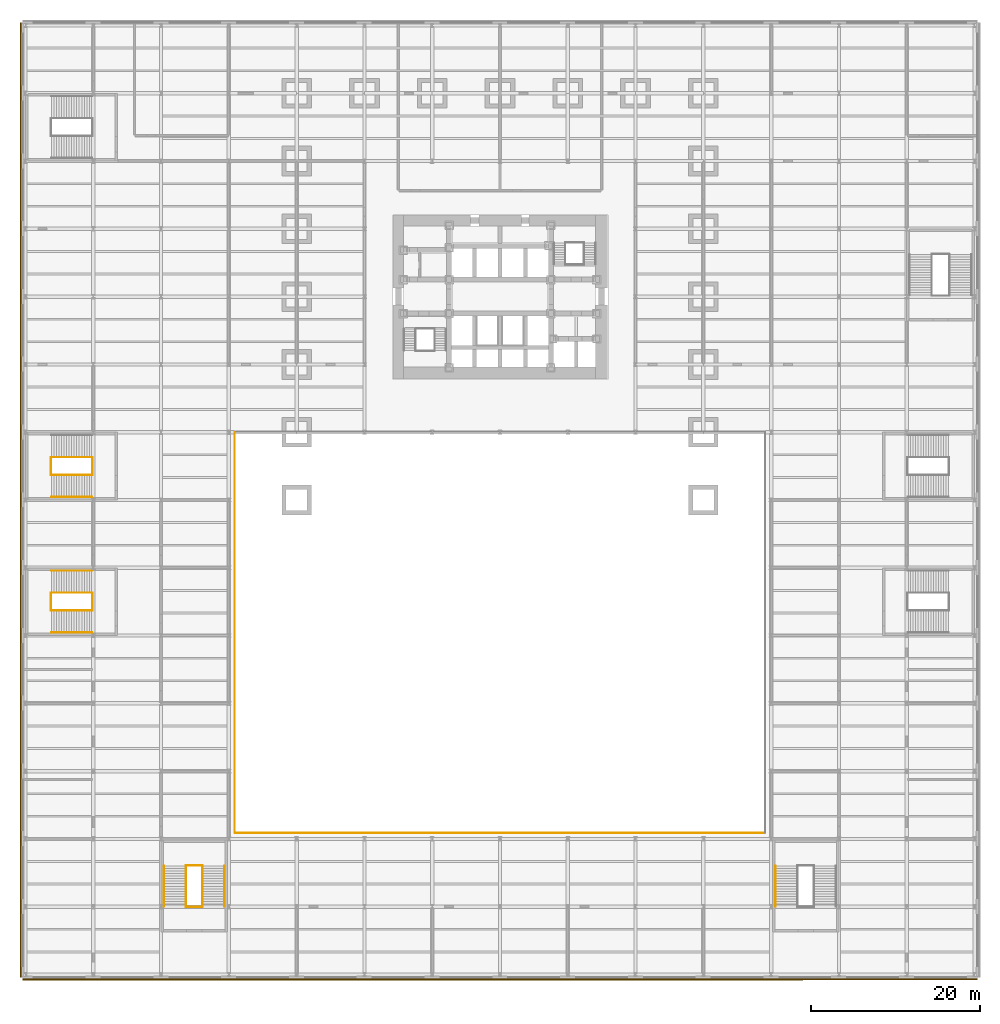
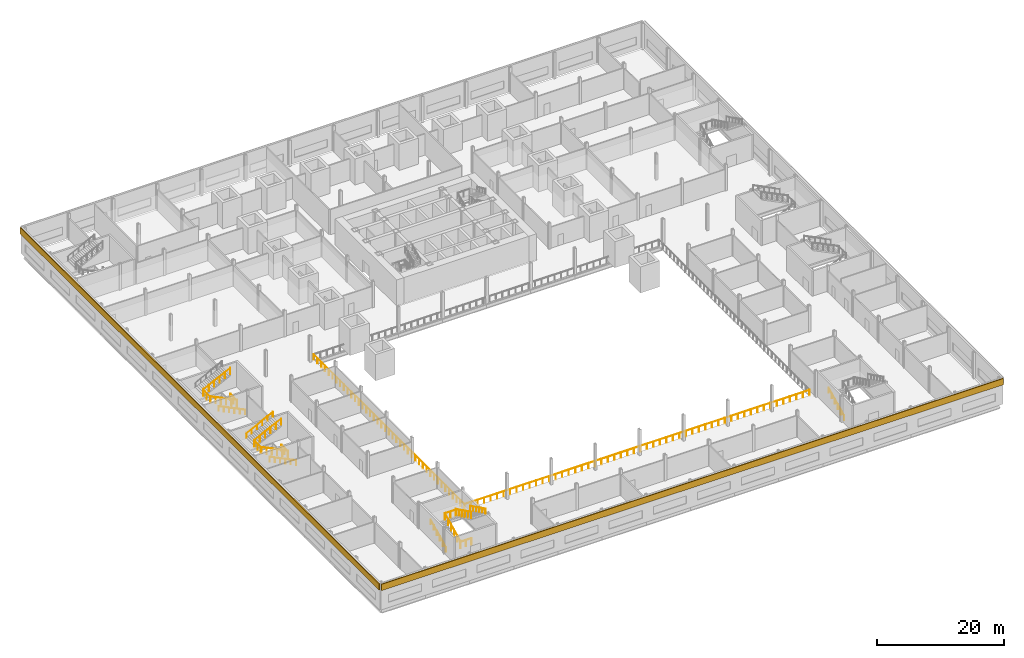
# One storey, part 15 of 18: 20 railings, 2 coverings.
"""IFC4 building model written with IfcOpenShell, lengths in metres."""

from ifc_helpers import new_model, si_unit, direction, frame, origin, origin_2d, place, context, subcontext, project, spatial, rectangle, circle, extrude, material, layer, layer_set, type_object, element, save


model = new_model("IFC4")

# Units and contexts
model_context = context("Model", 3, precision=1e-05, world=origin(), true_north=direction((0.0, 1.0)))
body_context = subcontext(model_context, "Body", "Model", "MODEL_VIEW")
ifc_project = project(units=[si_unit("LENGTHUNIT", "METRE"), si_unit("AREAUNIT", "SQUARE_METRE"), si_unit("VOLUMEUNIT", "CUBIC_METRE"), si_unit("PLANEANGLEUNIT", "RADIAN"), si_unit("MASSUNIT", "GRAM", prefix="KILO")], contexts=[model_context])

# Site, building, storey
site_placement = place(None, origin())
site = spatial("IfcSite", under=ifc_project, at=site_placement, CompositionType="ELEMENT")
building_placement = place(site_placement, origin())
building = spatial("IfcBuilding", under=site, at=building_placement, Name="Daluyong Arena Tower", CompositionType="ELEMENT")
storey_placement = place(building_placement, frame((0.0, 0.0, 4.89990234375)))
storey = spatial("IfcBuildingStorey", under=building, at=storey_placement, Name="L01", CompositionType="ELEMENT", Elevation=4.89990234375)

# Railings
ifc_material_1 = material(Name="Steel guard with glass infill", Category="steel")
railing_type_1 = type_object("IfcRailingType", Name="Floor edge guard 1100", PredefinedType="GUARDRAIL", material=ifc_material_1)
railing_1_placement = place(storey_placement, frame((24.699951171875, 64.0, 0.0)))
element("IfcRailing", 1, at=railing_1_placement, inside=storey, type_object=railing_type_1, Name="floor edge guard L01", PredefinedType="GUARDRAIL", context=body_context, shape_type="SweptSolid", body=[
    extrude(circle(Radius=0.02392578125, at=origin_2d()), frame((0.0, 0.0, 1.076171875), z_axis=(0.0, -1.0, 0.0), x_axis=(1.0, 0.0, 0.0)), (0.0, 0.0, 1.0), 47.25),
    extrude(circle(Radius=0.02099609375, at=origin_2d()), origin(), (0.0, 0.0, 1.0), 1.052001953125),
    extrude(circle(Radius=0.02099609375, at=origin_2d()), frame((0.0, -1.18115234375, 0.0)), (0.0, 0.0, 1.0), 1.052001953125),
    extrude(circle(Radius=0.02099609375, at=origin_2d()), frame((0.0, -2.362548828125, 0.0)), (0.0, 0.0, 1.0), 1.052001953125),
    extrude(circle(Radius=0.02099609375, at=origin_2d()), frame((0.0, -3.543701171875, 0.0)), (0.0, 0.0, 1.0), 1.052001953125),
    extrude(circle(Radius=0.02099609375, at=origin_2d()), frame((0.0, -4.72509765625, 0.0)), (0.0, 0.0, 1.0), 1.052001953125),
    extrude(circle(Radius=0.02099609375, at=origin_2d()), frame((0.0, -5.90625, 0.0)), (0.0, 0.0, 1.0), 1.052001953125),
    extrude(circle(Radius=0.02099609375, at=origin_2d()), frame((0.0, -7.08740234375, 0.0)), (0.0, 0.0, 1.0), 1.052001953125),
    extrude(circle(Radius=0.02099609375, at=origin_2d()), frame((0.0, -8.268798828125, 0.0)), (0.0, 0.0, 1.0), 1.052001953125),
    extrude(circle(Radius=0.02099609375, at=origin_2d()), frame((0.0, -9.449951171875, 0.0)), (0.0, 0.0, 1.0), 1.052001953125),
    extrude(circle(Radius=0.02099609375, at=origin_2d()), frame((0.0, -10.63134765625, 0.0)), (0.0, 0.0, 1.0), 1.052001953125),
    extrude(circle(Radius=0.02099609375, at=origin_2d()), frame((0.0, -11.8125, 0.0)), (0.0, 0.0, 1.0), 1.052001953125),
    extrude(circle(Radius=0.02099609375, at=origin_2d()), frame((0.0, -12.99365234375, 0.0)), (0.0, 0.0, 1.0), 1.052001953125),
    extrude(circle(Radius=0.02099609375, at=origin_2d()), frame((0.0, -14.175048828125, 0.0)), (0.0, 0.0, 1.0), 1.052001953125),
    extrude(circle(Radius=0.02099609375, at=origin_2d()), frame((0.0, -15.356201171875, 0.0)), (0.0, 0.0, 1.0), 1.052001953125),
    extrude(circle(Radius=0.02099609375, at=origin_2d()), frame((0.0, -16.53759765625, 0.0)), (0.0, 0.0, 1.0), 1.052001953125),
    extrude(circle(Radius=0.02099609375, at=origin_2d()), frame((0.0, -17.71875, 0.0)), (0.0, 0.0, 1.0), 1.052001953125),
    extrude(circle(Radius=0.02099609375, at=origin_2d()), frame((0.0, -18.89990234375, 0.0)), (0.0, 0.0, 1.0), 1.052001953125),
    extrude(circle(Radius=0.02099609375, at=origin_2d()), frame((0.0, -20.081298828125, 0.0)), (0.0, 0.0, 1.0), 1.052001953125),
    extrude(circle(Radius=0.02099609375, at=origin_2d()), frame((0.0, -21.262451171875, 0.0)), (0.0, 0.0, 1.0), 1.052001953125),
    extrude(circle(Radius=0.02099609375, at=origin_2d()), frame((0.0, -22.44384765625, 0.0)), (0.0, 0.0, 1.0), 1.052001953125),
    extrude(circle(Radius=0.02099609375, at=origin_2d()), frame((0.0, -23.625, 0.0)), (0.0, 0.0, 1.0), 1.052001953125),
    extrude(circle(Radius=0.02099609375, at=origin_2d()), frame((0.0, -24.80615234375, 0.0)), (0.0, 0.0, 1.0), 1.052001953125),
    extrude(circle(Radius=0.02099609375, at=origin_2d()), frame((0.0, -25.987548828125, 0.0)), (0.0, 0.0, 1.0), 1.052001953125),
    extrude(circle(Radius=0.02099609375, at=origin_2d()), frame((0.0, -27.168701171875, 0.0)), (0.0, 0.0, 1.0), 1.052001953125),
    extrude(circle(Radius=0.02099609375, at=origin_2d()), frame((0.0, -28.35009765625, 0.0)), (0.0, 0.0, 1.0), 1.052001953125),
    extrude(circle(Radius=0.02099609375, at=origin_2d()), frame((0.0, -29.53125, 0.0)), (0.0, 0.0, 1.0), 1.052001953125),
    extrude(circle(Radius=0.02099609375, at=origin_2d()), frame((0.0, -30.71240234375, 0.0)), (0.0, 0.0, 1.0), 1.052001953125),
    extrude(circle(Radius=0.02099609375, at=origin_2d()), frame((0.0, -31.893798828125, 0.0)), (0.0, 0.0, 1.0), 1.052001953125),
    extrude(circle(Radius=0.02099609375, at=origin_2d()), frame((0.0, -33.074951171875, 0.0)), (0.0, 0.0, 1.0), 1.052001953125),
    extrude(circle(Radius=0.02099609375, at=origin_2d()), frame((0.0, -34.25634765625, 0.0)), (0.0, 0.0, 1.0), 1.052001953125),
    extrude(circle(Radius=0.02099609375, at=origin_2d()), frame((0.0, -35.4375, 0.0)), (0.0, 0.0, 1.0), 1.052001953125),
    extrude(circle(Radius=0.02099609375, at=origin_2d()), frame((0.0, -36.61865234375, 0.0)), (0.0, 0.0, 1.0), 1.052001953125),
    extrude(circle(Radius=0.02099609375, at=origin_2d()), frame((0.0, -37.800048828125, 0.0)), (0.0, 0.0, 1.0), 1.052001953125),
    extrude(circle(Radius=0.02099609375, at=origin_2d()), frame((0.0, -38.981201171875, 0.0)), (0.0, 0.0, 1.0), 1.052001953125),
    extrude(circle(Radius=0.02099609375, at=origin_2d()), frame((0.0, -40.16259765625, 0.0)), (0.0, 0.0, 1.0), 1.052001953125),
    extrude(circle(Radius=0.02099609375, at=origin_2d()), frame((0.0, -41.34375, 0.0)), (0.0, 0.0, 1.0), 1.052001953125),
    extrude(circle(Radius=0.02099609375, at=origin_2d()), frame((0.0, -42.52490234375, 0.0)), (0.0, 0.0, 1.0), 1.052001953125),
    extrude(circle(Radius=0.02099609375, at=origin_2d()), frame((0.0, -43.706298828125, 0.0)), (0.0, 0.0, 1.0), 1.052001953125),
    extrude(circle(Radius=0.02099609375, at=origin_2d()), frame((0.0, -44.887451171875, 0.0)), (0.0, 0.0, 1.0), 1.052001953125),
    extrude(circle(Radius=0.02099609375, at=origin_2d()), frame((0.0, -46.06884765625, 0.0)), (0.0, 0.0, 1.0), 1.052001953125),
    extrude(circle(Radius=0.02099609375, at=origin_2d()), frame((0.0, -47.25, 0.0)), (0.0, 0.0, 1.0), 1.052001953125),
])
railing_2_placement = place(storey_placement, frame((24.75, 16.699951171875, 0.0)))
element("IfcRailing", 2, at=railing_2_placement, inside=storey, type_object=railing_type_1, Name="floor edge guard L01", PredefinedType="GUARDRAIL", context=body_context, shape_type="SweptSolid", body=[
    extrude(circle(Radius=0.02392578125, at=origin_2d()), frame((0.0, 0.0, 1.076171875), z_axis=(1.0, 0.0, 0.0), x_axis=(0.0, 1.0, 0.0)), (0.0, 0.0, 1.0), 62.5),
    extrude(circle(Radius=0.02099609375, at=origin_2d()), origin(), (0.0, 0.0, 1.0), 1.052001953125),
    extrude(circle(Radius=0.02099609375, at=origin_2d()), frame((1.17919921875, 0.0, 0.0)), (0.0, 0.0, 1.0), 1.052001953125),
    extrude(circle(Radius=0.02099609375, at=origin_2d()), frame((2.3583984375, 0.0, 0.0)), (0.0, 0.0, 1.0), 1.052001953125),
    extrude(circle(Radius=0.02099609375, at=origin_2d()), frame((3.537841796875, 0.0, 0.0)), (0.0, 0.0, 1.0), 1.052001953125),
    extrude(circle(Radius=0.02099609375, at=origin_2d()), frame((4.717041015625, 0.0, 0.0)), (0.0, 0.0, 1.0), 1.052001953125),
    extrude(circle(Radius=0.02099609375, at=origin_2d()), frame((5.896240234375, 0.0, 0.0)), (0.0, 0.0, 1.0), 1.052001953125),
    extrude(circle(Radius=0.02099609375, at=origin_2d()), frame((7.075439453125, 0.0, 0.0)), (0.0, 0.0, 1.0), 1.052001953125),
    extrude(circle(Radius=0.02099609375, at=origin_2d()), frame((8.254638671875, 0.0, 0.0)), (0.0, 0.0, 1.0), 1.052001953125),
    extrude(circle(Radius=0.02099609375, at=origin_2d()), frame((9.43408203125, 0.0, 0.0)), (0.0, 0.0, 1.0), 1.052001953125),
    extrude(circle(Radius=0.02099609375, at=origin_2d()), frame((10.61328125, 0.0, 0.0)), (0.0, 0.0, 1.0), 1.052001953125),
    extrude(circle(Radius=0.02099609375, at=origin_2d()), frame((11.79248046875, 0.0, 0.0)), (0.0, 0.0, 1.0), 1.052001953125),
    extrude(circle(Radius=0.02099609375, at=origin_2d()), frame((12.9716796875, 0.0, 0.0)), (0.0, 0.0, 1.0), 1.052001953125),
    extrude(circle(Radius=0.02099609375, at=origin_2d()), frame((14.15087890625, 0.0, 0.0)), (0.0, 0.0, 1.0), 1.052001953125),
    extrude(circle(Radius=0.02099609375, at=origin_2d()), frame((15.330078125, 0.0, 0.0)), (0.0, 0.0, 1.0), 1.052001953125),
    extrude(circle(Radius=0.02099609375, at=origin_2d()), frame((16.509521484375, 0.0, 0.0)), (0.0, 0.0, 1.0), 1.052001953125),
    extrude(circle(Radius=0.02099609375, at=origin_2d()), frame((17.688720703125, 0.0, 0.0)), (0.0, 0.0, 1.0), 1.052001953125),
    extrude(circle(Radius=0.02099609375, at=origin_2d()), frame((18.867919921875, 0.0, 0.0)), (0.0, 0.0, 1.0), 1.052001953125),
    extrude(circle(Radius=0.02099609375, at=origin_2d()), frame((20.047119140625, 0.0, 0.0)), (0.0, 0.0, 1.0), 1.052001953125),
    extrude(circle(Radius=0.02099609375, at=origin_2d()), frame((21.226318359375, 0.0, 0.0)), (0.0, 0.0, 1.0), 1.052001953125),
    extrude(circle(Radius=0.02099609375, at=origin_2d()), frame((22.40576171875, 0.0, 0.0)), (0.0, 0.0, 1.0), 1.052001953125),
    extrude(circle(Radius=0.02099609375, at=origin_2d()), frame((23.5849609375, 0.0, 0.0)), (0.0, 0.0, 1.0), 1.052001953125),
    extrude(circle(Radius=0.02099609375, at=origin_2d()), frame((24.76416015625, 0.0, 0.0)), (0.0, 0.0, 1.0), 1.052001953125),
    extrude(circle(Radius=0.02099609375, at=origin_2d()), frame((25.943359375, 0.0, 0.0)), (0.0, 0.0, 1.0), 1.052001953125),
    extrude(circle(Radius=0.02099609375, at=origin_2d()), frame((27.12255859375, 0.0, 0.0)), (0.0, 0.0, 1.0), 1.052001953125),
    extrude(circle(Radius=0.02099609375, at=origin_2d()), frame((28.302001953125, 0.0, 0.0)), (0.0, 0.0, 1.0), 1.052001953125),
    extrude(circle(Radius=0.02099609375, at=origin_2d()), frame((29.481201171875, 0.0, 0.0)), (0.0, 0.0, 1.0), 1.052001953125),
    extrude(circle(Radius=0.02099609375, at=origin_2d()), frame((30.660400390625, 0.0, 0.0)), (0.0, 0.0, 1.0), 1.052001953125),
    extrude(circle(Radius=0.02099609375, at=origin_2d()), frame((31.839599609375, 0.0, 0.0)), (0.0, 0.0, 1.0), 1.052001953125),
    extrude(circle(Radius=0.02099609375, at=origin_2d()), frame((33.018798828125, 0.0, 0.0)), (0.0, 0.0, 1.0), 1.052001953125),
    extrude(circle(Radius=0.02099609375, at=origin_2d()), frame((34.197998046875, 0.0, 0.0)), (0.0, 0.0, 1.0), 1.052001953125),
    extrude(circle(Radius=0.02099609375, at=origin_2d()), frame((35.37744140625, 0.0, 0.0)), (0.0, 0.0, 1.0), 1.052001953125),
    extrude(circle(Radius=0.02099609375, at=origin_2d()), frame((36.556640625, 0.0, 0.0)), (0.0, 0.0, 1.0), 1.052001953125),
    extrude(circle(Radius=0.02099609375, at=origin_2d()), frame((37.73583984375, 0.0, 0.0)), (0.0, 0.0, 1.0), 1.052001953125),
    extrude(circle(Radius=0.02099609375, at=origin_2d()), frame((38.9150390625, 0.0, 0.0)), (0.0, 0.0, 1.0), 1.052001953125),
    extrude(circle(Radius=0.02099609375, at=origin_2d()), frame((40.09423828125, 0.0, 0.0)), (0.0, 0.0, 1.0), 1.052001953125),
    extrude(circle(Radius=0.02099609375, at=origin_2d()), frame((41.273681640625, 0.0, 0.0)), (0.0, 0.0, 1.0), 1.052001953125),
    extrude(circle(Radius=0.02099609375, at=origin_2d()), frame((42.452880859375, 0.0, 0.0)), (0.0, 0.0, 1.0), 1.052001953125),
    extrude(circle(Radius=0.02099609375, at=origin_2d()), frame((43.632080078125, 0.0, 0.0)), (0.0, 0.0, 1.0), 1.052001953125),
    extrude(circle(Radius=0.02099609375, at=origin_2d()), frame((44.811279296875, 0.0, 0.0)), (0.0, 0.0, 1.0), 1.052001953125),
    extrude(circle(Radius=0.02099609375, at=origin_2d()), frame((45.990478515625, 0.0, 0.0)), (0.0, 0.0, 1.0), 1.052001953125),
    extrude(circle(Radius=0.02099609375, at=origin_2d()), frame((47.169921875, 0.0, 0.0)), (0.0, 0.0, 1.0), 1.052001953125),
    extrude(circle(Radius=0.02099609375, at=origin_2d()), frame((48.34912109375, 0.0, 0.0)), (0.0, 0.0, 1.0), 1.052001953125),
    extrude(circle(Radius=0.02099609375, at=origin_2d()), frame((49.5283203125, 0.0, 0.0)), (0.0, 0.0, 1.0), 1.052001953125),
    extrude(circle(Radius=0.02099609375, at=origin_2d()), frame((50.70751953125, 0.0, 0.0)), (0.0, 0.0, 1.0), 1.052001953125),
    extrude(circle(Radius=0.02099609375, at=origin_2d()), frame((51.88671875, 0.0, 0.0)), (0.0, 0.0, 1.0), 1.052001953125),
    extrude(circle(Radius=0.02099609375, at=origin_2d()), frame((53.06591796875, 0.0, 0.0)), (0.0, 0.0, 1.0), 1.052001953125),
    extrude(circle(Radius=0.02099609375, at=origin_2d()), frame((54.245361328125, 0.0, 0.0)), (0.0, 0.0, 1.0), 1.052001953125),
    extrude(circle(Radius=0.02099609375, at=origin_2d()), frame((55.424560546875, 0.0, 0.0)), (0.0, 0.0, 1.0), 1.052001953125),
    extrude(circle(Radius=0.02099609375, at=origin_2d()), frame((56.603759765625, 0.0, 0.0)), (0.0, 0.0, 1.0), 1.052001953125),
    extrude(circle(Radius=0.02099609375, at=origin_2d()), frame((57.782958984375, 0.0, 0.0)), (0.0, 0.0, 1.0), 1.052001953125),
    extrude(circle(Radius=0.02099609375, at=origin_2d()), frame((58.962158203125, 0.0, 0.0)), (0.0, 0.0, 1.0), 1.052001953125),
    extrude(circle(Radius=0.02099609375, at=origin_2d()), frame((60.1416015625, 0.0, 0.0)), (0.0, 0.0, 1.0), 1.052001953125),
    extrude(circle(Radius=0.02099609375, at=origin_2d()), frame((61.32080078125, 0.0, 0.0)), (0.0, 0.0, 1.0), 1.052001953125),
    extrude(circle(Radius=0.02099609375, at=origin_2d()), frame((62.5, 0.0, 0.0)), (0.0, 0.0, 1.0), 1.052001953125),
])

# Coverings
ifc_material_2 = material(Name="Red-pigmented glass fibre reinforced concrete", Category="concrete")
ifc_layer = layer(ifc_material_2, 0.14990234375)
ifc_layer_set = layer_set([ifc_layer], Name="Red-pigmented glass fibre reinforced concrete")
covering_type = type_object("IfcCoveringType", Name="Podium band cladding", PredefinedType="CLADDING", material=ifc_layer_set)
for number, where, z_axis, x_axis, name in (
    (3, (56.0, -0.574951171875, 3.80029296875), (0.0, 0.0, 1.0), (1.0, 0.0, 0.0), "podium band S L01"),
    (4, (-0.574951171875, 56.0, 3.80029296875), (0.0, 0.0, 1.0), (0.0, -1.0, 0.0), "podium band W L01"),
):
    element("IfcCovering", number, at=place(storey_placement, frame(where, z_axis=z_axis, x_axis=x_axis)), inside=storey, type_object=covering_type, Name=name, PredefinedType="CLADDING", context=body_context, shape_type="SweptSolid", body=[
        extrude(rectangle(XDim=112.699951171875, YDim=0.14990234375, at=origin_2d()), origin(), (0.0, 0.0, 1.0), 1.199951171875),
    ])

# Railings
ifc_material_3 = material(Name="Stainless steel handrail", Category="steel")
railing_type_2 = type_object("IfcRailingType", Name="Stair handrail", PredefinedType="HANDRAIL", material=ifc_material_3)
railing_3_placement = place(storey_placement, frame((16.35009765625, 8.010009765625, 0.147216796875)))
element("IfcRailing", 5, at=railing_3_placement, inside=storey, type_object=railing_type_2, Name="exit stair PS1 handrail L01", PredefinedType="HANDRAIL", context=body_context, shape_type="SweptSolid", body=[
    extrude(circle(Radius=0.02392578125, at=origin_2d()), frame((0.0, 0.0, 0.8759765625), z_axis=(0.0, 0.89793417156, 0.440129780343), x_axis=(-1.0, 0.0, 0.0)), (0.0, 0.0, 1.0), 5.345703125),
    extrude(circle(Radius=0.02099609375, at=origin_2d()), origin(), (0.0, 0.0, 1.0), 0.851806640625),
    extrude(circle(Radius=0.02099609375, at=origin_2d()), frame((0.0, 0.9599609375, 0.470458984375)), (0.0, 0.0, 1.0), 0.851806640625),
    extrude(circle(Radius=0.02099609375, at=origin_2d()), frame((0.0, 1.919921875, 0.941162109375)), (0.0, 0.0, 1.0), 0.851806640625),
    extrude(circle(Radius=0.02099609375, at=origin_2d()), frame((0.0, 2.880126953125, 1.41162109375)), (0.0, 0.0, 1.0), 0.851806640625),
    extrude(circle(Radius=0.02099609375, at=origin_2d()), frame((0.0, 3.840087890625, 1.88232421875)), (0.0, 0.0, 1.0), 0.851806640625),
    extrude(circle(Radius=0.02099609375, at=origin_2d()), frame((0.0, 4.800048828125, 2.352783203125)), (0.0, 0.0, 1.0), 0.851806640625),
])
railing_4_placement = place(storey_placement, frame((23.5, 12.81005859375, 2.647216796875)))
element("IfcRailing", 6, at=railing_4_placement, inside=storey, type_object=railing_type_2, Name="exit stair PS1 handrail L01", PredefinedType="HANDRAIL", context=body_context, shape_type="SweptSolid", body=[
    extrude(circle(Radius=0.02392578125, at=origin_2d()), frame((0.0, 0.0, 0.8759765625), z_axis=(0.0, -0.89793417156, 0.440129780343), x_axis=(1.0, 0.0, 0.0)), (0.0, 0.0, 1.0), 5.345703125),
    extrude(circle(Radius=0.02099609375, at=origin_2d()), origin(), (0.0, 0.0, 1.0), 0.851806640625),
    extrude(circle(Radius=0.02099609375, at=origin_2d()), frame((0.0, -0.9599609375, 0.470458984375)), (0.0, 0.0, 1.0), 0.851806640625),
    extrude(circle(Radius=0.02099609375, at=origin_2d()), frame((0.0, -1.919921875, 0.941162109375)), (0.0, 0.0, 1.0), 0.851806640625),
    extrude(circle(Radius=0.02099609375, at=origin_2d()), frame((0.0, -2.880126953125, 1.41162109375)), (0.0, 0.0, 1.0), 0.851806640625),
    extrude(circle(Radius=0.02099609375, at=origin_2d()), frame((0.0, -3.840087890625, 1.88232421875)), (0.0, 0.0, 1.0), 0.851806640625),
    extrude(circle(Radius=0.02099609375, at=origin_2d()), frame((0.0, -4.800048828125, 2.352783203125)), (0.0, 0.0, 1.0), 0.851806640625),
])
railing_5_placement = place(storey_placement, frame((88.5, 8.010009765625, 0.147216796875)))
element("IfcRailing", 7, at=railing_5_placement, inside=storey, type_object=railing_type_2, Name="exit stair PS2 handrail L01", PredefinedType="HANDRAIL", context=body_context, shape_type="SweptSolid", body=[
    extrude(circle(Radius=0.02392578125, at=origin_2d()), frame((0.0, 0.0, 0.8759765625), z_axis=(0.0, 0.89793417156, 0.440129780343), x_axis=(-1.0, 0.0, 0.0)), (0.0, 0.0, 1.0), 5.345703125),
    extrude(circle(Radius=0.02099609375, at=origin_2d()), origin(), (0.0, 0.0, 1.0), 0.851806640625),
    extrude(circle(Radius=0.02099609375, at=origin_2d()), frame((0.0, 0.9599609375, 0.470458984375)), (0.0, 0.0, 1.0), 0.851806640625),
    extrude(circle(Radius=0.02099609375, at=origin_2d()), frame((0.0, 1.919921875, 0.941162109375)), (0.0, 0.0, 1.0), 0.851806640625),
    extrude(circle(Radius=0.02099609375, at=origin_2d()), frame((0.0, 2.880126953125, 1.41162109375)), (0.0, 0.0, 1.0), 0.851806640625),
    extrude(circle(Radius=0.02099609375, at=origin_2d()), frame((0.0, 3.840087890625, 1.88232421875)), (0.0, 0.0, 1.0), 0.851806640625),
    extrude(circle(Radius=0.02099609375, at=origin_2d()), frame((0.0, 4.800048828125, 2.352783203125)), (0.0, 0.0, 1.0), 0.851806640625),
])
railing_6_placement = place(storey_placement, frame((7.840087890625, 40.35009765625, 0.147216796875)))
element("IfcRailing", 8, at=railing_6_placement, inside=storey, type_object=railing_type_2, Name="exit stair PS3 handrail L01", PredefinedType="HANDRAIL", context=body_context, shape_type="SweptSolid", body=[
    extrude(circle(Radius=0.02392578125, at=origin_2d()), frame((0.0, 0.0, 0.8759765625), z_axis=(-0.89793417156, 0.0, 0.440129780343), x_axis=(0.0, -1.0, 0.0)), (0.0, 0.0, 1.0), 5.345703125),
    extrude(circle(Radius=0.02099609375, at=origin_2d()), origin(), (0.0, 0.0, 1.0), 0.851806640625),
    extrude(circle(Radius=0.02099609375, at=origin_2d()), frame((-0.9599609375, 0.0, 0.470458984375)), (0.0, 0.0, 1.0), 0.851806640625),
    extrude(circle(Radius=0.02099609375, at=origin_2d()), frame((-1.919921875, 0.0, 0.941162109375)), (0.0, 0.0, 1.0), 0.851806640625),
    extrude(circle(Radius=0.02099609375, at=origin_2d()), frame((-2.880126953125, 0.0, 1.41162109375)), (0.0, 0.0, 1.0), 0.851806640625),
    extrude(circle(Radius=0.02099609375, at=origin_2d()), frame((-3.840087890625, 0.0, 1.88232421875)), (0.0, 0.0, 1.0), 0.851806640625),
    extrude(circle(Radius=0.02099609375, at=origin_2d()), frame((-4.800048828125, 0.0, 2.352783203125)), (0.0, 0.0, 1.0), 0.851806640625),
])
railing_7_placement = place(storey_placement, frame((3.0400390625, 47.64990234375, 2.647216796875)))
element("IfcRailing", 9, at=railing_7_placement, inside=storey, type_object=railing_type_2, Name="exit stair PS3 handrail L01", PredefinedType="HANDRAIL", context=body_context, shape_type="SweptSolid", body=[
    extrude(circle(Radius=0.02392578125, at=origin_2d()), frame((0.0, 0.0, 0.8759765625), z_axis=(0.89793417156, 0.0, 0.440129780343), x_axis=(0.0, 1.0, 0.0)), (0.0, 0.0, 1.0), 5.345703125),
    extrude(circle(Radius=0.02099609375, at=origin_2d()), origin(), (0.0, 0.0, 1.0), 0.851806640625),
    extrude(circle(Radius=0.02099609375, at=origin_2d()), frame((0.9599609375, 0.0, 0.470458984375)), (0.0, 0.0, 1.0), 0.851806640625),
    extrude(circle(Radius=0.02099609375, at=origin_2d()), frame((1.919921875, 0.0, 0.941162109375)), (0.0, 0.0, 1.0), 0.851806640625),
    extrude(circle(Radius=0.02099609375, at=origin_2d()), frame((2.880126953125, 0.0, 1.41162109375)), (0.0, 0.0, 1.0), 0.851806640625),
    extrude(circle(Radius=0.02099609375, at=origin_2d()), frame((3.840087890625, 0.0, 1.88232421875)), (0.0, 0.0, 1.0), 0.851806640625),
    extrude(circle(Radius=0.02099609375, at=origin_2d()), frame((4.800048828125, 0.0, 2.352783203125)), (0.0, 0.0, 1.0), 0.851806640625),
])
railing_8_placement = place(storey_placement, frame((7.840087890625, 56.35009765625, 0.147216796875)))
element("IfcRailing", 10, at=railing_8_placement, inside=storey, type_object=railing_type_2, Name="exit stair PS7 handrail L01", PredefinedType="HANDRAIL", context=body_context, shape_type="SweptSolid", body=[
    extrude(circle(Radius=0.02392578125, at=origin_2d()), frame((0.0, 0.0, 0.8759765625), z_axis=(-0.89793417156, 0.0, 0.440129780343), x_axis=(0.0, -1.0, 0.0)), (0.0, 0.0, 1.0), 5.345703125),
    extrude(circle(Radius=0.02099609375, at=origin_2d()), origin(), (0.0, 0.0, 1.0), 0.851806640625),
    extrude(circle(Radius=0.02099609375, at=origin_2d()), frame((-0.9599609375, 0.0, 0.470458984375)), (0.0, 0.0, 1.0), 0.851806640625),
    extrude(circle(Radius=0.02099609375, at=origin_2d()), frame((-1.919921875, 0.0, 0.941162109375)), (0.0, 0.0, 1.0), 0.851806640625),
    extrude(circle(Radius=0.02099609375, at=origin_2d()), frame((-2.880126953125, 0.0, 1.41162109375)), (0.0, 0.0, 1.0), 0.851806640625),
    extrude(circle(Radius=0.02099609375, at=origin_2d()), frame((-3.840087890625, 0.0, 1.88232421875)), (0.0, 0.0, 1.0), 0.851806640625),
    extrude(circle(Radius=0.02099609375, at=origin_2d()), frame((-4.800048828125, 0.0, 2.352783203125)), (0.0, 0.0, 1.0), 0.851806640625),
])
ifc_material_4 = material(Name="Steel balustrade", Category="steel")
railing_type_3 = type_object("IfcRailingType", Name="Stair well guard 1200", PredefinedType="GUARDRAIL", material=ifc_material_4)
railing_9_placement = place(storey_placement, frame((18.949951171875, 8.010009765625, 0.147216796875)))
element("IfcRailing", 11, at=railing_9_placement, inside=storey, type_object=railing_type_3, Name="exit stair PS1 well guard L01", PredefinedType="GUARDRAIL", context=body_context, shape_type="SweptSolid", body=[
    extrude(circle(Radius=0.02392578125, at=origin_2d()), frame((0.0, 0.0, 1.17578125), z_axis=(0.0, 0.89793417156, 0.440129780343), x_axis=(-1.0, 0.0, 0.0)), (0.0, 0.0, 1.0), 5.345703125),
    extrude(circle(Radius=0.02099609375, at=origin_2d()), origin(), (0.0, 0.0, 1.0), 1.15185546875),
    extrude(circle(Radius=0.02099609375, at=origin_2d()), frame((0.0, 0.9599609375, 0.470458984375)), (0.0, 0.0, 1.0), 1.15185546875),
    extrude(circle(Radius=0.02099609375, at=origin_2d()), frame((0.0, 1.919921875, 0.941162109375)), (0.0, 0.0, 1.0), 1.15185546875),
    extrude(circle(Radius=0.02099609375, at=origin_2d()), frame((0.0, 2.880126953125, 1.41162109375)), (0.0, 0.0, 1.0), 1.15185546875),
    extrude(circle(Radius=0.02099609375, at=origin_2d()), frame((0.0, 3.840087890625, 1.88232421875)), (0.0, 0.0, 1.0), 1.15185546875),
    extrude(circle(Radius=0.02099609375, at=origin_2d()), frame((0.0, 4.800048828125, 2.352783203125)), (0.0, 0.0, 1.0), 1.15185546875),
])
railing_10_placement = place(storey_placement, frame((20.89990234375, 12.81005859375, 2.647216796875)))
element("IfcRailing", 12, at=railing_10_placement, inside=storey, type_object=railing_type_3, Name="exit stair PS1 well guard L01", PredefinedType="GUARDRAIL", context=body_context, shape_type="SweptSolid", body=[
    extrude(circle(Radius=0.02392578125, at=origin_2d()), frame((0.0, 0.0, 1.17578125), z_axis=(0.0, -0.89793417156, 0.440129780343), x_axis=(1.0, 0.0, 0.0)), (0.0, 0.0, 1.0), 5.345703125),
    extrude(circle(Radius=0.02099609375, at=origin_2d()), origin(), (0.0, 0.0, 1.0), 1.15185546875),
    extrude(circle(Radius=0.02099609375, at=origin_2d()), frame((0.0, -0.9599609375, 0.470458984375)), (0.0, 0.0, 1.0), 1.15185546875),
    extrude(circle(Radius=0.02099609375, at=origin_2d()), frame((0.0, -1.919921875, 0.941162109375)), (0.0, 0.0, 1.0), 1.15185546875),
    extrude(circle(Radius=0.02099609375, at=origin_2d()), frame((0.0, -2.880126953125, 1.41162109375)), (0.0, 0.0, 1.0), 1.15185546875),
    extrude(circle(Radius=0.02099609375, at=origin_2d()), frame((0.0, -3.840087890625, 1.88232421875)), (0.0, 0.0, 1.0), 1.15185546875),
    extrude(circle(Radius=0.02099609375, at=origin_2d()), frame((0.0, -4.800048828125, 2.352783203125)), (0.0, 0.0, 1.0), 1.15185546875),
])
for number, where, name in (
    (13, (18.949951171875, 12.860107421875, 2.5), "exit stair PS1 landing guard L01"),
    (14, (18.949951171875, 7.9599609375, 0.0), "exit stair PS1 floor landing guard L01"),
):
    element("IfcRailing", number, at=place(storey_placement, frame(where)), inside=storey, type_object=railing_type_3, Name=name, PredefinedType="GUARDRAIL", context=body_context, shape_type="SweptSolid", body=[
        extrude(circle(Radius=0.02392578125, at=origin_2d()), frame((0.0, 0.0, 1.17578125), z_axis=(1.0, 0.0, 0.0), x_axis=(0.0, 1.0, 0.0)), (0.0, 0.0, 1.0), 1.949951171875),
        extrude(circle(Radius=0.02099609375, at=origin_2d()), origin(), (0.0, 0.0, 1.0), 1.15185546875),
        extrude(circle(Radius=0.02099609375, at=origin_2d()), frame((0.97509765625, 0.0, 0.0)), (0.0, 0.0, 1.0), 1.15185546875),
        extrude(circle(Radius=0.02099609375, at=origin_2d()), frame((1.949951171875, 0.0, 0.0)), (0.0, 0.0, 1.0), 1.15185546875),
    ])
railing_11_placement = place(storey_placement, frame((7.840087890625, 42.949951171875, 0.147216796875)))
element("IfcRailing", 15, at=railing_11_placement, inside=storey, type_object=railing_type_3, Name="exit stair PS3 well guard L01", PredefinedType="GUARDRAIL", context=body_context, shape_type="SweptSolid", body=[
    extrude(circle(Radius=0.02392578125, at=origin_2d()), frame((0.0, 0.0, 1.17578125), z_axis=(-0.89793417156, 0.0, 0.440129780343), x_axis=(0.0, -1.0, 0.0)), (0.0, 0.0, 1.0), 5.345703125),
    extrude(circle(Radius=0.02099609375, at=origin_2d()), origin(), (0.0, 0.0, 1.0), 1.15185546875),
    extrude(circle(Radius=0.02099609375, at=origin_2d()), frame((-0.9599609375, 0.0, 0.470458984375)), (0.0, 0.0, 1.0), 1.15185546875),
    extrude(circle(Radius=0.02099609375, at=origin_2d()), frame((-1.919921875, 0.0, 0.941162109375)), (0.0, 0.0, 1.0), 1.15185546875),
    extrude(circle(Radius=0.02099609375, at=origin_2d()), frame((-2.880126953125, 0.0, 1.41162109375)), (0.0, 0.0, 1.0), 1.15185546875),
    extrude(circle(Radius=0.02099609375, at=origin_2d()), frame((-3.840087890625, 0.0, 1.88232421875)), (0.0, 0.0, 1.0), 1.15185546875),
    extrude(circle(Radius=0.02099609375, at=origin_2d()), frame((-4.800048828125, 0.0, 2.352783203125)), (0.0, 0.0, 1.0), 1.15185546875),
])
railing_12_placement = place(storey_placement, frame((3.0400390625, 45.050048828125, 2.647216796875)))
element("IfcRailing", 16, at=railing_12_placement, inside=storey, type_object=railing_type_3, Name="exit stair PS3 well guard L01", PredefinedType="GUARDRAIL", context=body_context, shape_type="SweptSolid", body=[
    extrude(circle(Radius=0.02392578125, at=origin_2d()), frame((0.0, 0.0, 1.17578125), z_axis=(0.89793417156, 0.0, 0.440129780343), x_axis=(0.0, 1.0, 0.0)), (0.0, 0.0, 1.0), 5.345703125),
    extrude(circle(Radius=0.02099609375, at=origin_2d()), origin(), (0.0, 0.0, 1.0), 1.15185546875),
    extrude(circle(Radius=0.02099609375, at=origin_2d()), frame((0.9599609375, 0.0, 0.470458984375)), (0.0, 0.0, 1.0), 1.15185546875),
    extrude(circle(Radius=0.02099609375, at=origin_2d()), frame((1.919921875, 0.0, 0.941162109375)), (0.0, 0.0, 1.0), 1.15185546875),
    extrude(circle(Radius=0.02099609375, at=origin_2d()), frame((2.880126953125, 0.0, 1.41162109375)), (0.0, 0.0, 1.0), 1.15185546875),
    extrude(circle(Radius=0.02099609375, at=origin_2d()), frame((3.840087890625, 0.0, 1.88232421875)), (0.0, 0.0, 1.0), 1.15185546875),
    extrude(circle(Radius=0.02099609375, at=origin_2d()), frame((4.800048828125, 0.0, 2.352783203125)), (0.0, 0.0, 1.0), 1.15185546875),
])
for number, where, name in (
    (17, (2.989990234375, 42.949951171875, 2.5), "exit stair PS3 landing guard L01"),
    (18, (7.889892578125, 42.949951171875, 0.0), "exit stair PS3 floor landing guard L01"),
):
    element("IfcRailing", number, at=place(storey_placement, frame(where)), inside=storey, type_object=railing_type_3, Name=name, PredefinedType="GUARDRAIL", context=body_context, shape_type="SweptSolid", body=[
        extrude(circle(Radius=0.02392578125, at=origin_2d()), frame((0.0, 0.0, 1.17578125), z_axis=(0.0, 1.0, 0.0), x_axis=(-1.0, 0.0, 0.0)), (0.0, 0.0, 1.0), 2.10009765625),
        extrude(circle(Radius=0.02099609375, at=origin_2d()), origin(), (0.0, 0.0, 1.0), 1.15185546875),
        extrude(circle(Radius=0.02099609375, at=origin_2d()), frame((0.0, 1.050048828125, 0.0)), (0.0, 0.0, 1.0), 1.15185546875),
        extrude(circle(Radius=0.02099609375, at=origin_2d()), frame((0.0, 2.10009765625, 0.0)), (0.0, 0.0, 1.0), 1.15185546875),
    ])
railing_13_placement = place(storey_placement, frame((7.840087890625, 58.949951171875, 0.147216796875)))
element("IfcRailing", 19, at=railing_13_placement, inside=storey, type_object=railing_type_3, Name="exit stair PS7 well guard L01", PredefinedType="GUARDRAIL", context=body_context, shape_type="SweptSolid", body=[
    extrude(circle(Radius=0.02392578125, at=origin_2d()), frame((0.0, 0.0, 1.17578125), z_axis=(-0.89793417156, 0.0, 0.440129780343), x_axis=(0.0, -1.0, 0.0)), (0.0, 0.0, 1.0), 5.345703125),
    extrude(circle(Radius=0.02099609375, at=origin_2d()), origin(), (0.0, 0.0, 1.0), 1.15185546875),
    extrude(circle(Radius=0.02099609375, at=origin_2d()), frame((-0.9599609375, 0.0, 0.470458984375)), (0.0, 0.0, 1.0), 1.15185546875),
    extrude(circle(Radius=0.02099609375, at=origin_2d()), frame((-1.919921875, 0.0, 0.941162109375)), (0.0, 0.0, 1.0), 1.15185546875),
    extrude(circle(Radius=0.02099609375, at=origin_2d()), frame((-2.880126953125, 0.0, 1.41162109375)), (0.0, 0.0, 1.0), 1.15185546875),
    extrude(circle(Radius=0.02099609375, at=origin_2d()), frame((-3.840087890625, 0.0, 1.88232421875)), (0.0, 0.0, 1.0), 1.15185546875),
    extrude(circle(Radius=0.02099609375, at=origin_2d()), frame((-4.800048828125, 0.0, 2.352783203125)), (0.0, 0.0, 1.0), 1.15185546875),
])
railing_14_placement = place(storey_placement, frame((3.0400390625, 61.050048828125, 2.647216796875)))
element("IfcRailing", 20, at=railing_14_placement, inside=storey, type_object=railing_type_3, Name="exit stair PS7 well guard L01", PredefinedType="GUARDRAIL", context=body_context, shape_type="SweptSolid", body=[
    extrude(circle(Radius=0.02392578125, at=origin_2d()), frame((0.0, 0.0, 1.17578125), z_axis=(0.89793417156, 0.0, 0.440129780343), x_axis=(0.0, 1.0, 0.0)), (0.0, 0.0, 1.0), 5.345703125),
    extrude(circle(Radius=0.02099609375, at=origin_2d()), origin(), (0.0, 0.0, 1.0), 1.15185546875),
    extrude(circle(Radius=0.02099609375, at=origin_2d()), frame((0.9599609375, 0.0, 0.470458984375)), (0.0, 0.0, 1.0), 1.15185546875),
    extrude(circle(Radius=0.02099609375, at=origin_2d()), frame((1.919921875, 0.0, 0.941162109375)), (0.0, 0.0, 1.0), 1.15185546875),
    extrude(circle(Radius=0.02099609375, at=origin_2d()), frame((2.880126953125, 0.0, 1.41162109375)), (0.0, 0.0, 1.0), 1.15185546875),
    extrude(circle(Radius=0.02099609375, at=origin_2d()), frame((3.840087890625, 0.0, 1.88232421875)), (0.0, 0.0, 1.0), 1.15185546875),
    extrude(circle(Radius=0.02099609375, at=origin_2d()), frame((4.800048828125, 0.0, 2.352783203125)), (0.0, 0.0, 1.0), 1.15185546875),
])
for number, where, name in (
    (21, (2.989990234375, 58.949951171875, 2.5), "exit stair PS7 landing guard L01"),
    (22, (7.889892578125, 58.949951171875, 0.0), "exit stair PS7 floor landing guard L01"),
):
    element("IfcRailing", number, at=place(storey_placement, frame(where)), inside=storey, type_object=railing_type_3, Name=name, PredefinedType="GUARDRAIL", context=body_context, shape_type="SweptSolid", body=[
        extrude(circle(Radius=0.02392578125, at=origin_2d()), frame((0.0, 0.0, 1.17578125), z_axis=(0.0, 1.0, 0.0), x_axis=(-1.0, 0.0, 0.0)), (0.0, 0.0, 1.0), 2.10009765625),
        extrude(circle(Radius=0.02099609375, at=origin_2d()), origin(), (0.0, 0.0, 1.0), 1.15185546875),
        extrude(circle(Radius=0.02099609375, at=origin_2d()), frame((0.0, 1.050048828125, 0.0)), (0.0, 0.0, 1.0), 1.15185546875),
        extrude(circle(Radius=0.02099609375, at=origin_2d()), frame((0.0, 2.10009765625, 0.0)), (0.0, 0.0, 1.0), 1.15185546875),
    ])

save(model, "model.ifc")
